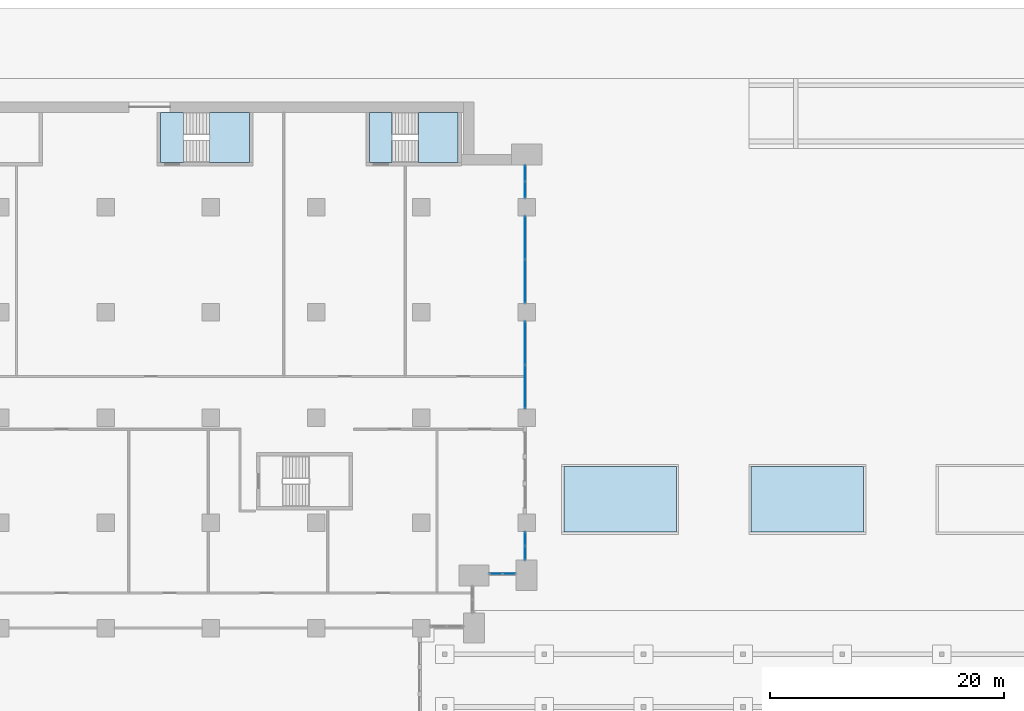
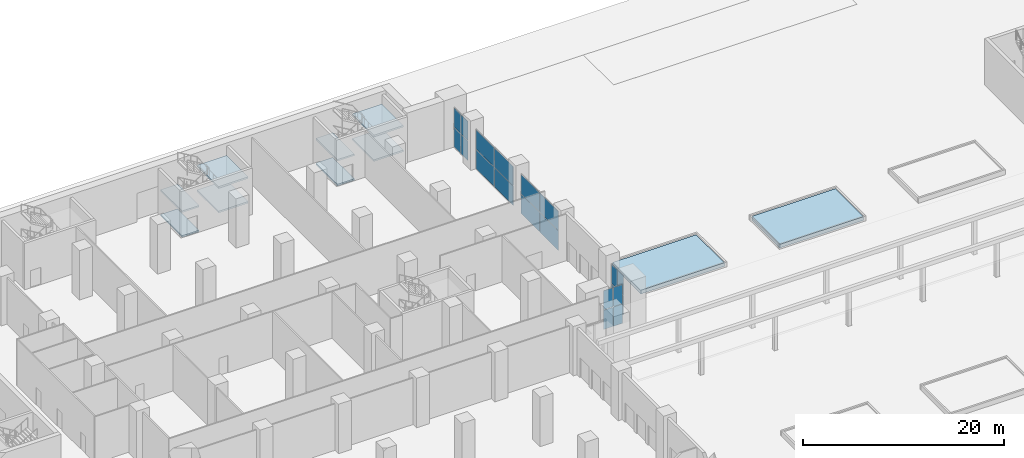
# One storey, part 11 of 47: 20 plates, 10 slabs, 7 elements without a shape of their own.
"""IFC4 building model written with IfcOpenShell, lengths in metres."""

from ifc_helpers import new_model, si_unit, direction, frame, origin, origin_2d, place, context, subcontext, project, spatial, polyline, rectangle, outline, extrude, material, layer, layer_set, type_object, element, aggregate, save


model = new_model("IFC4")

# Units and contexts
model_context = context("Model", 3, precision=1e-05, world=origin(), true_north=direction((0.0, 1.0)))
body_context = subcontext(model_context, "Body", "Model", "MODEL_VIEW")
ifc_project = project(units=[si_unit("LENGTHUNIT", "METRE"), si_unit("AREAUNIT", "SQUARE_METRE"), si_unit("VOLUMEUNIT", "CUBIC_METRE"), si_unit("PLANEANGLEUNIT", "RADIAN"), si_unit("MASSUNIT", "GRAM", prefix="KILO")], contexts=[model_context])

# Site, building, storey
site_placement = place(None, origin())
site = spatial("IfcSite", under=ifc_project, at=site_placement, CompositionType="ELEMENT")
building_placement = place(site_placement, origin())
building = spatial("IfcBuilding", under=site, at=building_placement, Name="Hunhe Ridgeline Campus", CompositionType="ELEMENT")
storey_placement = place(building_placement, origin())
storey = spatial("IfcBuildingStorey", under=building, at=storey_placement, Name="L00", CompositionType="ELEMENT", Elevation=0.0)

# Curtain wall, plates
ifc_material_1 = material(Name="Aluminium and glass", Category="aluminium")
curtain_wall_type = type_object("IfcCurtainWallType", Name="Podium curtain wall CW-2", PredefinedType="NOTDEFINED", material=ifc_material_1)
curtain_wall_1_placement = place(storey_placement, origin())
curtain_wall_1 = element("IfcCurtainWall", 1, at=curtain_wall_1_placement, inside=storey, type_object=curtain_wall_type, Name="L00 podium curtain wall 3", PredefinedType="NOTDEFINED")
ifc_material_2 = material(Name="Clear glass", Category="glass")
ifc_layer_1 = layer(ifc_material_2, 0.028076171875)
ifc_layer_set_1 = layer_set([ifc_layer_1], Name="CW-2 clear glass panel 28")
plate_type = type_object("IfcPlateType", Name="CW-2 clear glass panel 28", PredefinedType="CURTAIN_PANEL", material=ifc_layer_set_1)
plate_1_placement = place(storey_placement, frame((96.389892578125, 58.64990234375, 0.06005859375), z_axis=(0.0, 0.0, 1.0), x_axis=(1.0, 0.0, 0.0)))
plate_1 = element("IfcPlate", 2, at=plate_1_placement, type_object=plate_type, Name="CW2 panel 1.1", PredefinedType="CURTAIN_PANEL", context=body_context, shape_type="SweptSolid", body=[
    extrude(rectangle(XDim=1.06005859375, YDim=0.028076171875, at=origin_2d()), origin(), (0.0, 0.0, 1.0), 2.3349609375),
])
plate_2_placement = place(storey_placement, frame((96.389892578125, 58.64990234375, 2.455078125), z_axis=(0.0, 0.0, 1.0), x_axis=(1.0, 0.0, 0.0)))
plate_2 = element("IfcPlate", 3, at=plate_2_placement, type_object=plate_type, Name="CW2 panel 1.2", PredefinedType="CURTAIN_PANEL", context=body_context, shape_type="SweptSolid", body=[
    extrude(rectangle(XDim=1.06005859375, YDim=0.028076171875, at=origin_2d()), origin(), (0.0, 0.0, 1.0), 2.3349609375),
])
plate_3_placement = place(storey_placement, frame((97.510009765625, 58.64990234375, 0.06005859375), z_axis=(0.0, 0.0, 1.0), x_axis=(1.0, 0.0, 0.0)))
plate_3 = element("IfcPlate", 4, at=plate_3_placement, type_object=plate_type, Name="CW2 panel 2.1", PredefinedType="CURTAIN_PANEL", context=body_context, shape_type="SweptSolid", body=[
    extrude(rectangle(XDim=1.06005859375, YDim=0.028076171875, at=origin_2d()), origin(), (0.0, 0.0, 1.0), 2.3349609375),
])
plate_4_placement = place(storey_placement, frame((97.510009765625, 58.64990234375, 2.455078125), z_axis=(0.0, 0.0, 1.0), x_axis=(1.0, 0.0, 0.0)))
plate_4 = element("IfcPlate", 5, at=plate_4_placement, type_object=plate_type, Name="CW2 panel 2.2", PredefinedType="CURTAIN_PANEL", context=body_context, shape_type="SweptSolid", body=[
    extrude(rectangle(XDim=1.06005859375, YDim=0.028076171875, at=origin_2d()), origin(), (0.0, 0.0, 1.0), 2.3349609375),
])
aggregate(curtain_wall_1, [plate_1, plate_2, plate_3, plate_4])

curtain_wall_2_placement = place(storey_placement, origin())
curtain_wall_2 = element("IfcCurtainWall", 6, at=curtain_wall_2_placement, inside=storey, type_object=curtain_wall_type, Name="L00 podium curtain wall 4", PredefinedType="NOTDEFINED")
plate_5_placement = place(storey_placement, frame((98.85009765625, 60.427490234375, 0.06005859375), z_axis=(0.0, 0.0, 1.0), x_axis=(0.0, 1.0, 0.0)))
plate_5 = element("IfcPlate", 7, at=plate_5_placement, type_object=plate_type, Name="CW2 panel 1.1", PredefinedType="CURTAIN_PANEL", context=body_context, shape_type="SweptSolid", body=[
    extrude(rectangle(XDim=1.135009765625, YDim=0.028076171875, at=origin_2d()), origin(), (0.0, 0.0, 1.0), 2.3349609375),
])
plate_6_placement = place(storey_placement, frame((98.85009765625, 60.427490234375, 2.455078125), z_axis=(0.0, 0.0, 1.0), x_axis=(0.0, 1.0, 0.0)))
plate_6 = element("IfcPlate", 8, at=plate_6_placement, type_object=plate_type, Name="CW2 panel 1.2", PredefinedType="CURTAIN_PANEL", context=body_context, shape_type="SweptSolid", body=[
    extrude(rectangle(XDim=1.135009765625, YDim=0.028076171875, at=origin_2d()), origin(), (0.0, 0.0, 1.0), 2.3349609375),
])
plate_7_placement = place(storey_placement, frame((98.85009765625, 61.62255859375, 0.06005859375), z_axis=(0.0, 0.0, 1.0), x_axis=(0.0, 1.0, 0.0)))
plate_7 = element("IfcPlate", 9, at=plate_7_placement, type_object=plate_type, Name="CW2 panel 2.1", PredefinedType="CURTAIN_PANEL", context=body_context, shape_type="SweptSolid", body=[
    extrude(rectangle(XDim=1.135009765625, YDim=0.028076171875, at=origin_2d()), origin(), (0.0, 0.0, 1.0), 2.3349609375),
])
plate_8_placement = place(storey_placement, frame((98.85009765625, 61.62255859375, 2.455078125), z_axis=(0.0, 0.0, 1.0), x_axis=(0.0, 1.0, 0.0)))
plate_8 = element("IfcPlate", 10, at=plate_8_placement, type_object=plate_type, Name="CW2 panel 2.2", PredefinedType="CURTAIN_PANEL", context=body_context, shape_type="SweptSolid", body=[
    extrude(rectangle(XDim=1.135009765625, YDim=0.028076171875, at=origin_2d()), origin(), (0.0, 0.0, 1.0), 2.3349609375),
])
aggregate(curtain_wall_2, [plate_5, plate_6, plate_7, plate_8])

curtain_wall_3_placement = place(storey_placement, origin())
curtain_wall_3 = element("IfcCurtainWall", 11, at=curtain_wall_3_placement, inside=storey, type_object=curtain_wall_type, Name="L00 podium curtain wall 6", PredefinedType="NOTDEFINED")
plate_9_placement = place(storey_placement, frame((98.85009765625, 74.639892578125, 0.06005859375), z_axis=(0.0, 0.0, 1.0), x_axis=(0.0, 1.0, 0.0)))
plate_9 = element("IfcPlate", 12, at=plate_9_placement, type_object=plate_type, Name="CW2 panel 1.1", PredefinedType="CURTAIN_PANEL", context=body_context, shape_type="SweptSolid", body=[
    extrude(rectangle(XDim=3.659912109375, YDim=0.028076171875, at=origin_2d()), origin(), (0.0, 0.0, 1.0), 2.3349609375),
])
plate_10_placement = place(storey_placement, frame((98.85009765625, 74.639892578125, 2.455078125), z_axis=(0.0, 0.0, 1.0), x_axis=(0.0, 1.0, 0.0)))
plate_10 = element("IfcPlate", 13, at=plate_10_placement, type_object=plate_type, Name="CW2 panel 1.2", PredefinedType="CURTAIN_PANEL", context=body_context, shape_type="SweptSolid", body=[
    extrude(rectangle(XDim=3.659912109375, YDim=0.028076171875, at=origin_2d()), origin(), (0.0, 0.0, 1.0), 2.3349609375),
])
plate_11_placement = place(storey_placement, frame((98.85009765625, 78.360107421875, 0.06005859375), z_axis=(0.0, 0.0, 1.0), x_axis=(0.0, 1.0, 0.0)))
plate_11 = element("IfcPlate", 14, at=plate_11_placement, type_object=plate_type, Name="CW2 panel 2.1", PredefinedType="CURTAIN_PANEL", context=body_context, shape_type="SweptSolid", body=[
    extrude(rectangle(XDim=3.659912109375, YDim=0.028076171875, at=origin_2d()), origin(), (0.0, 0.0, 1.0), 2.3349609375),
])
plate_12_placement = place(storey_placement, frame((98.85009765625, 78.360107421875, 2.455078125), z_axis=(0.0, 0.0, 1.0), x_axis=(0.0, 1.0, 0.0)))
plate_12 = element("IfcPlate", 15, at=plate_12_placement, type_object=plate_type, Name="CW2 panel 2.2", PredefinedType="CURTAIN_PANEL", context=body_context, shape_type="SweptSolid", body=[
    extrude(rectangle(XDim=3.659912109375, YDim=0.028076171875, at=origin_2d()), origin(), (0.0, 0.0, 1.0), 2.3349609375),
])
aggregate(curtain_wall_3, [plate_9, plate_10, plate_11, plate_12])

curtain_wall_4_placement = place(storey_placement, origin())
curtain_wall_4 = element("IfcCurtainWall", 16, at=curtain_wall_4_placement, inside=storey, type_object=curtain_wall_type, Name="L00 podium curtain wall 7", PredefinedType="NOTDEFINED")
plate_13_placement = place(storey_placement, frame((98.85009765625, 83.639892578125, 0.06005859375), z_axis=(0.0, 0.0, 1.0), x_axis=(0.0, 1.0, 0.0)))
plate_13 = element("IfcPlate", 17, at=plate_13_placement, type_object=plate_type, Name="CW2 panel 1.1", PredefinedType="CURTAIN_PANEL", context=body_context, shape_type="SweptSolid", body=[
    extrude(rectangle(XDim=3.659912109375, YDim=0.028076171875, at=origin_2d()), origin(), (0.0, 0.0, 1.0), 2.3349609375),
])
plate_14_placement = place(storey_placement, frame((98.85009765625, 83.639892578125, 2.455078125), z_axis=(0.0, 0.0, 1.0), x_axis=(0.0, 1.0, 0.0)))
plate_14 = element("IfcPlate", 18, at=plate_14_placement, type_object=plate_type, Name="CW2 panel 1.2", PredefinedType="CURTAIN_PANEL", context=body_context, shape_type="SweptSolid", body=[
    extrude(rectangle(XDim=3.659912109375, YDim=0.028076171875, at=origin_2d()), origin(), (0.0, 0.0, 1.0), 2.3349609375),
])
plate_15_placement = place(storey_placement, frame((98.85009765625, 87.360107421875, 0.06005859375), z_axis=(0.0, 0.0, 1.0), x_axis=(0.0, 1.0, 0.0)))
plate_15 = element("IfcPlate", 19, at=plate_15_placement, type_object=plate_type, Name="CW2 panel 2.1", PredefinedType="CURTAIN_PANEL", context=body_context, shape_type="SweptSolid", body=[
    extrude(rectangle(XDim=3.659912109375, YDim=0.028076171875, at=origin_2d()), origin(), (0.0, 0.0, 1.0), 2.3349609375),
])
plate_16_placement = place(storey_placement, frame((98.85009765625, 87.360107421875, 2.455078125), z_axis=(0.0, 0.0, 1.0), x_axis=(0.0, 1.0, 0.0)))
plate_16 = element("IfcPlate", 20, at=plate_16_placement, type_object=plate_type, Name="CW2 panel 2.2", PredefinedType="CURTAIN_PANEL", context=body_context, shape_type="SweptSolid", body=[
    extrude(rectangle(XDim=3.659912109375, YDim=0.028076171875, at=origin_2d()), origin(), (0.0, 0.0, 1.0), 2.3349609375),
])
aggregate(curtain_wall_4, [plate_13, plate_14, plate_15, plate_16])

curtain_wall_5_placement = place(storey_placement, origin())
curtain_wall_5 = element("IfcCurtainWall", 21, at=curtain_wall_5_placement, inside=storey, type_object=curtain_wall_type, Name="L00 podium curtain wall 8", PredefinedType="NOTDEFINED")
plate_17_placement = place(storey_placement, frame((98.85009765625, 91.4775390625, 0.06005859375), z_axis=(0.0, 0.0, 1.0), x_axis=(0.0, 1.0, 0.0)))
plate_17 = element("IfcPlate", 22, at=plate_17_placement, type_object=plate_type, Name="CW2 panel 1.1", PredefinedType="CURTAIN_PANEL", context=body_context, shape_type="SweptSolid", body=[
    extrude(rectangle(XDim=1.3349609375, YDim=0.028076171875, at=origin_2d()), origin(), (0.0, 0.0, 1.0), 2.3349609375),
])
plate_18_placement = place(storey_placement, frame((98.85009765625, 91.4775390625, 2.455078125), z_axis=(0.0, 0.0, 1.0), x_axis=(0.0, 1.0, 0.0)))
plate_18 = element("IfcPlate", 23, at=plate_18_placement, type_object=plate_type, Name="CW2 panel 1.2", PredefinedType="CURTAIN_PANEL", context=body_context, shape_type="SweptSolid", body=[
    extrude(rectangle(XDim=1.3349609375, YDim=0.028076171875, at=origin_2d()), origin(), (0.0, 0.0, 1.0), 2.3349609375),
])
plate_19_placement = place(storey_placement, frame((98.85009765625, 92.87255859375, 0.06005859375), z_axis=(0.0, 0.0, 1.0), x_axis=(0.0, 1.0, 0.0)))
plate_19 = element("IfcPlate", 24, at=plate_19_placement, type_object=plate_type, Name="CW2 panel 2.1", PredefinedType="CURTAIN_PANEL", context=body_context, shape_type="SweptSolid", body=[
    extrude(rectangle(XDim=1.3349609375, YDim=0.028076171875, at=origin_2d()), origin(), (0.0, 0.0, 1.0), 2.3349609375),
])
plate_20_placement = place(storey_placement, frame((98.85009765625, 92.87255859375, 2.455078125), z_axis=(0.0, 0.0, 1.0), x_axis=(0.0, 1.0, 0.0)))
plate_20 = element("IfcPlate", 25, at=plate_20_placement, type_object=plate_type, Name="CW2 panel 2.2", PredefinedType="CURTAIN_PANEL", context=body_context, shape_type="SweptSolid", body=[
    extrude(rectangle(XDim=1.3349609375, YDim=0.028076171875, at=origin_2d()), origin(), (0.0, 0.0, 1.0), 2.3349609375),
])
aggregate(curtain_wall_5, [plate_17, plate_18, plate_19, plate_20])

# Slabs
ifc_material_3 = material(Name="Planting soil")
ifc_layer_2 = layer(ifc_material_3, 0.449951171875)
ifc_layer_set_2 = layer_set([ifc_layer_2], Name="Planting bed soil 450")
slab_type_1 = type_object("IfcSlabType", Name="Planting bed soil 450", PredefinedType="USERDEFINED", material=ifc_layer_set_2)
slab_1_placement = place(storey_placement, origin())
element("IfcSlab", 26, at=slab_1_placement, inside=storey, type_object=slab_type_1, Name="Garden planter 4", ObjectType="PLANTER", PredefinedType="USERDEFINED", context=body_context, shape_type="SweptSolid", body=[
    extrude(outline(polyline([(111.800048828125, 62.199951171875), (111.800048828125, 67.800048828125), (102.199951171875, 67.800048828125), (102.199951171875, 62.199951171875), (111.800048828125, 62.199951171875)])), origin(), (0.0, 0.0, 1.0), 0.449951171875),
])
slab_2_placement = place(storey_placement, origin())
element("IfcSlab", 27, at=slab_2_placement, inside=storey, type_object=slab_type_1, Name="Garden planter 5", ObjectType="PLANTER", PredefinedType="USERDEFINED", context=body_context, shape_type="SweptSolid", body=[
    extrude(outline(polyline([(127.800048828125, 62.199951171875), (127.800048828125, 67.800048828125), (118.199951171875, 67.800048828125), (118.199951171875, 62.199951171875), (127.800048828125, 62.199951171875)])), origin(), (0.0, 0.0, 1.0), 0.449951171875),
])

# Stair, slabs
ifc_material_4 = material(Name="Concrete C40", Category="concrete")
stair_type = type_object("IfcStairType", Name="Reinforced concrete dog-leg stair 1950 Concrete C40", PredefinedType="HALF_TURN_STAIR", material=ifc_material_4)
stair_1_placement = place(storey_placement, origin())
stair_1 = element("IfcStair", 28, at=stair_1_placement, inside=storey, type_object=stair_type, Name="L00 E3", PredefinedType="HALF_TURN_STAIR")
ifc_layer_3 = layer(ifc_material_4, 0.199951171875)
ifc_layer_set_3 = layer_set([ifc_layer_3], Name="Reinforced concrete stair landing 200 Concrete C40")
slab_type_2 = type_object("IfcSlabType", Name="Reinforced concrete stair landing 200 Concrete C40", PredefinedType="LANDING", material=ifc_layer_set_3)
slab_3_placement = place(storey_placement, frame((0.0, 0.0, 1.300048828125)))
slab_3 = element("IfcSlab", 29, at=slab_3_placement, type_object=slab_type_2, Name="ST7 landing 1", PredefinedType="LANDING", context=body_context, shape_type="SweptSolid", body=[
    extrude(outline(polyline([(71.889892578125, 93.800048828125), (75.300048828125, 93.800048828125), (75.300048828125, 98.10009765625), (71.889892578125, 98.10009765625), (71.889892578125, 93.800048828125)])), origin(), (0.0, 0.0, 1.0), 0.199951171875),
])
slab_4_placement = place(storey_placement, frame((0.0, 0.0, 2.800048828125)))
slab_4 = element("IfcSlab", 30, at=slab_4_placement, type_object=slab_type_2, Name="ST7 landing 2", PredefinedType="LANDING", context=body_context, shape_type="SweptSolid", body=[
    extrude(outline(polyline([(67.699951171875, 93.800048828125), (69.64990234375, 93.800048828125), (69.64990234375, 98.10009765625), (67.699951171875, 98.10009765625), (67.699951171875, 93.800048828125)])), origin(), (0.0, 0.0, 1.0), 0.199951171875),
])
slab_5_placement = place(storey_placement, frame((0.0, 0.0, 4.300048828125)))
slab_5 = element("IfcSlab", 31, at=slab_5_placement, type_object=slab_type_2, Name="ST7 landing 3", PredefinedType="LANDING", context=body_context, shape_type="SweptSolid", body=[
    extrude(outline(polyline([(71.889892578125, 93.800048828125), (75.300048828125, 93.800048828125), (75.300048828125, 98.10009765625), (71.889892578125, 98.10009765625), (71.889892578125, 93.800048828125)])), origin(), (0.0, 0.0, 1.0), 0.199951171875),
])
aggregate(stair_1, [slab_3, slab_4, slab_5])

# Slab
slab_6_placement = place(storey_placement, frame((0.0, 0.0, -0.199951171875)))
element("IfcSlab", 32, at=slab_6_placement, inside=storey, type_object=slab_type_2, Name="L00 stair E3 floor landing", PredefinedType="LANDING", context=body_context, shape_type="SweptSolid", body=[
    extrude(outline(polyline([(67.699951171875, 93.800048828125), (69.64990234375, 93.800048828125), (69.64990234375, 98.10009765625), (67.699951171875, 98.10009765625), (67.699951171875, 93.800048828125)])), origin(), (0.0, 0.0, 1.0), 0.199951171875),
])

# Stair, slabs
stair_2_placement = place(storey_placement, origin())
stair_2 = element("IfcStair", 33, at=stair_2_placement, inside=storey, type_object=stair_type, Name="L00 E4", PredefinedType="HALF_TURN_STAIR")
slab_7_placement = place(storey_placement, frame((0.0, 0.0, 1.300048828125)))
slab_7 = element("IfcSlab", 34, at=slab_7_placement, type_object=slab_type_2, Name="ST8 landing 1", PredefinedType="LANDING", context=body_context, shape_type="SweptSolid", body=[
    extrude(outline(polyline([(89.739990234375, 93.800048828125), (93.14990234375, 93.800048828125), (93.14990234375, 98.10009765625), (89.739990234375, 98.10009765625), (89.739990234375, 93.800048828125)])), origin(), (0.0, 0.0, 1.0), 0.199951171875),
])
slab_8_placement = place(storey_placement, frame((0.0, 0.0, 2.800048828125)))
slab_8 = element("IfcSlab", 35, at=slab_8_placement, type_object=slab_type_2, Name="ST8 landing 2", PredefinedType="LANDING", context=body_context, shape_type="SweptSolid", body=[
    extrude(outline(polyline([(85.550048828125, 93.800048828125), (87.5, 93.800048828125), (87.5, 98.10009765625), (85.550048828125, 98.10009765625), (85.550048828125, 93.800048828125)])), origin(), (0.0, 0.0, 1.0), 0.199951171875),
])
slab_9_placement = place(storey_placement, frame((0.0, 0.0, 4.300048828125)))
slab_9 = element("IfcSlab", 36, at=slab_9_placement, type_object=slab_type_2, Name="ST8 landing 3", PredefinedType="LANDING", context=body_context, shape_type="SweptSolid", body=[
    extrude(outline(polyline([(89.739990234375, 93.800048828125), (93.14990234375, 93.800048828125), (93.14990234375, 98.10009765625), (89.739990234375, 98.10009765625), (89.739990234375, 93.800048828125)])), origin(), (0.0, 0.0, 1.0), 0.199951171875),
])
aggregate(stair_2, [slab_7, slab_8, slab_9])

# Slab
slab_10_placement = place(storey_placement, frame((0.0, 0.0, -0.199951171875)))
element("IfcSlab", 37, at=slab_10_placement, inside=storey, type_object=slab_type_2, Name="L00 stair E4 floor landing", PredefinedType="LANDING", context=body_context, shape_type="SweptSolid", body=[
    extrude(outline(polyline([(85.550048828125, 93.800048828125), (87.5, 93.800048828125), (87.5, 98.10009765625), (85.550048828125, 98.10009765625), (85.550048828125, 93.800048828125)])), origin(), (0.0, 0.0, 1.0), 0.199951171875),
])

save(model, "model.ifc")
